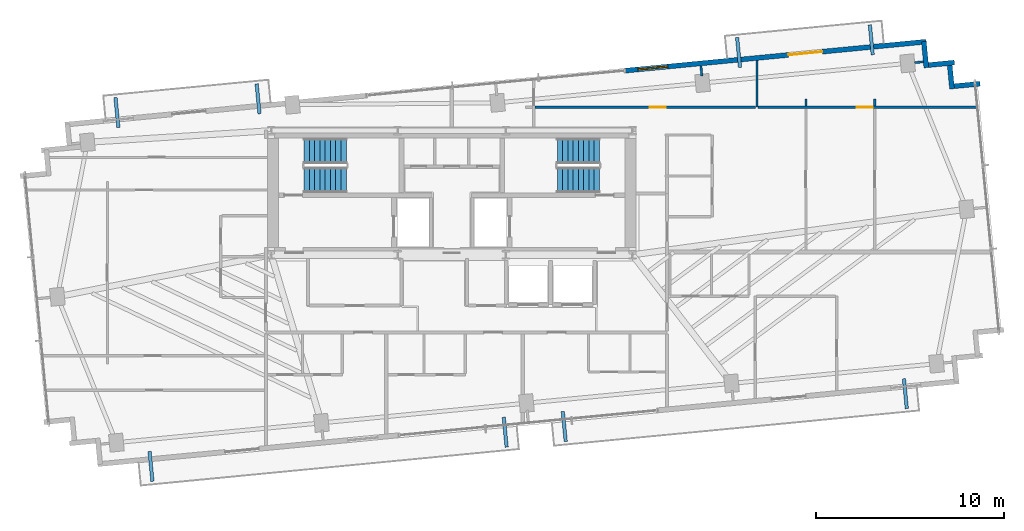
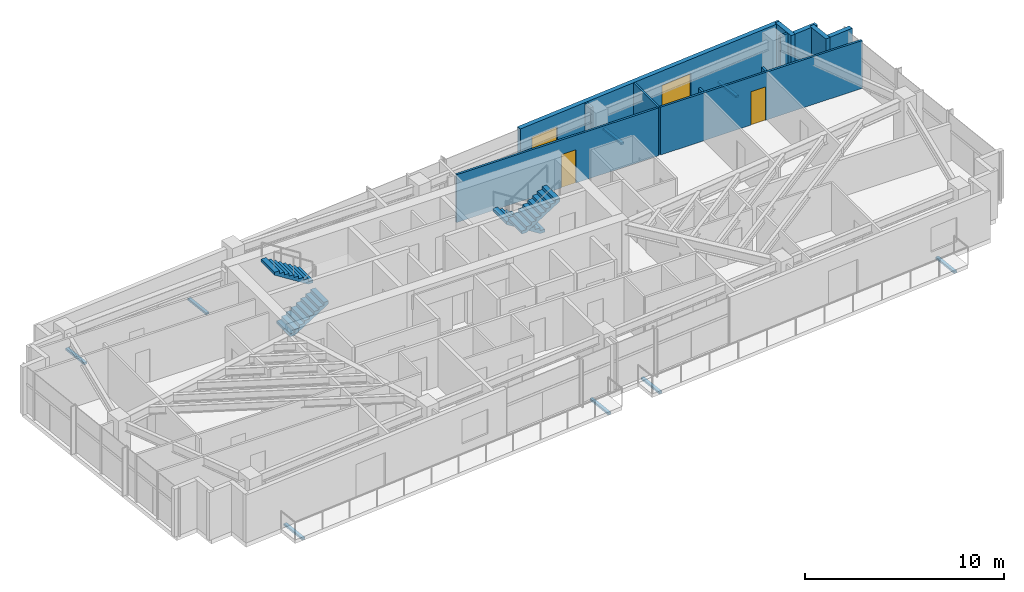
# One storey, part 16 of 18: 12 walls, 8 discrete accessories, 4 stair flights, 3 doors, 1 window, 4 openings, 2 elements without a shape of their own.
"""IFC4 building model written with IfcOpenShell, lengths in metres."""

from ifc_helpers import new_model, si_unit, direction, frame, frame_2d, origin, origin_2d, place, context, subcontext, project, spatial, polyline, rectangle, outline, extrude, source, transform, mapped, material, layer, layer_set, type_object, type_shapes, element, fill, aggregate, save


model = new_model("IFC4")

# Units and contexts
model_context = context("Model", 3, precision=1e-05, world=origin(), true_north=direction((0.0, 1.0)))
body_context = subcontext(model_context, "Body", "Model", "MODEL_VIEW")
ifc_project = project(units=[si_unit("LENGTHUNIT", "METRE"), si_unit("AREAUNIT", "SQUARE_METRE"), si_unit("VOLUMEUNIT", "CUBIC_METRE"), si_unit("PLANEANGLEUNIT", "RADIAN"), si_unit("MASSUNIT", "GRAM", prefix="KILO")], contexts=[model_context])

# Site, building, storey
site_placement = place(None, origin())
site = spatial("IfcSite", under=ifc_project, at=site_placement, CompositionType="ELEMENT")
building_placement = place(site_placement, origin())
building = spatial("IfcBuilding", under=site, at=building_placement, Name="Astriad Promenade Condominiums", CompositionType="ELEMENT")
storey_placement = place(building_placement, frame((0.0, 0.0, 192.199951171875)))
storey = spatial("IfcBuildingStorey", under=building, at=storey_placement, Name="L55", CompositionType="ELEMENT", Elevation=192.199951171875)

# Wall, openings, door, window
ifc_material_1 = material(Name="Precast concrete C50/60", Category="concrete")
ifc_layer_1 = layer(ifc_material_1, 0.260009765625)
ifc_layer_set_1 = layer_set([ifc_layer_1], Name="Precast concrete C50/60")
wall_type_1 = type_object("IfcWallType", Name="WALL-EXT-TWR-260", PredefinedType="STANDARD", material=ifc_layer_set_1)
wall_1_placement = place(storey_placement, frame((45.198974609375, 27.189697265625, 0.0), z_axis=(0.0, 0.0, 1.0), x_axis=(0.995397074604, 0.095836652014, 0.0)))
wall_1 = element("IfcWall", 1, at=wall_1_placement, inside=storey, type_object=wall_type_1, Name="W-EXT-L55-N2", PredefinedType="STANDARD", context=body_context, shape_type="SweptSolid", body=[
    extrude(rectangle(XDim=16.10009765625, YDim=0.260009765625, at=frame_2d((8.050048828125, 0.0))), origin(), (0.0, 0.0, 1.0), 2.93994140625),
])
opening_1_placement = place(wall_1_placement, frame((8.739990234375, 0.0, 0.0)))
opening_1 = element("IfcOpeningElement", 2, at=opening_1_placement, cuts=wall_1, Name="Opening BD-1822-SLD", PredefinedType="OPENING", context=body_context, shape_type="SweptSolid", body=[
    extrude(rectangle(XDim=1.800048828125, YDim=2.06005859375, at=frame_2d((0.89990234375, 1.030029296875))), frame((0.0, 0.139892578125, 0.0), z_axis=(0.0, -1.0, 0.0), x_axis=(1.0, 0.0, 0.0)), (0.0, 0.0, 1.0), 0.280029296875),
])
opening_2_placement = place(wall_1_placement, frame((0.699951171875, 0.0, 0.64990234375)))
opening_2 = element("IfcOpeningElement", 3, at=opening_2_placement, cuts=wall_1, Name="Opening WIN-TWR-1620", PredefinedType="OPENING", context=body_context, shape_type="SweptSolid", body=[
    extrude(rectangle(XDim=1.60009765625, YDim=1.5, at=frame_2d((0.800048828125, 0.75))), frame((0.0, 0.139892578125, 0.0), z_axis=(0.0, -1.0, 0.0), x_axis=(1.0, 0.0, 0.0)), (0.0, 0.0, 1.0), 0.280029296875),
])
ifc_material_2 = material(Name="Thermally Broken Aluminium Sliding Balcony Door", Category="aluminium")
door_type_1 = type_object("IfcDoorType", Name="BD-1822-SLD", OperationType="NOTDEFINED", PredefinedType="DOOR", material=ifc_material_2)
shared_shape_1 = source(origin(), body_context, "Body", "SweptSolid", [
    extrude(rectangle(XDim=1.800048828125, YDim=2.06005859375, at=frame_2d((0.89990234375, 1.030029296875))), frame((0.0, 0.02490234375, 0.0), z_axis=(0.0, -1.0, 0.0), x_axis=(1.0, 0.0, 0.0)), (0.0, 0.0, 1.0), 0.050048828125),
])
type_shapes(door_type_1, [shared_shape_1])
door_1_placement = place(opening_1_placement, origin())
door_1 = element("IfcDoor", 4, at=door_1_placement, inside=storey, type_object=door_type_1, Name="BD-L55-NE", OperationType="SLIDING_TO_RIGHT", OverallHeight=2.06005859375, OverallWidth=1.800048828125, PredefinedType="DOOR", context=body_context, shape_type="MappedRepresentation", body=[
    mapped(shared_shape_1, transform((0.0, 0.0, 0.0), scale=1.0)),
])
fill(opening_1, door_1)
ifc_material_3 = material(Name="Dark Tinted Triple-Glazed Aluminium Window", Category="aluminium")
window_type = type_object("IfcWindowType", Name="WIN-TWR-1620", PartitioningType="SINGLE_PANEL", PredefinedType="WINDOW", material=ifc_material_3)
shared_shape_2 = source(origin(), body_context, "Body", "SweptSolid", [
    extrude(rectangle(XDim=1.60009765625, YDim=1.5, at=frame_2d((0.800048828125, 0.75))), frame((0.0, 0.030029296875, 0.0), z_axis=(0.0, -1.0, 0.0), x_axis=(1.0, 0.0, 0.0)), (0.0, 0.0, 1.0), 0.06005859375),
])
type_shapes(window_type, [shared_shape_2])
window_placement = place(opening_2_placement, origin())
window = element("IfcWindow", 5, at=window_placement, inside=storey, type_object=window_type, Name="WIN-L55-NE", OverallHeight=1.5, OverallWidth=1.60009765625, PartitioningType="SINGLE_PANEL", PredefinedType="WINDOW", context=body_context, shape_type="MappedRepresentation", body=[
    mapped(shared_shape_2, transform((0.0, 0.0, 0.0), scale=1.0)),
])
fill(opening_2, window)

# Walls
wall_2_placement = place(storey_placement, frame((61.093994140625, 28.735107421875, 0.0), z_axis=(0.0, 0.0, 1.0), x_axis=(0.095742423056, -0.99540614245, 0.0)))
element("IfcWall", 6, at=wall_2_placement, inside=storey, type_object=wall_type_1, Name="W-SER-L55-09", PredefinedType="STANDARD", context=body_context, shape_type="SweptSolid", body=[
    extrude(rectangle(XDim=1.394775390625, YDim=0.260009765625, at=frame_2d((0.697265625, 0.0))), origin(), (0.0, 0.0, 1.0), 2.93994140625),
])
wall_3_placement = place(storey_placement, frame((61.32958984375, 27.487060546875, 0.0), z_axis=(0.0, 0.0, 1.0), x_axis=(0.995391056452, 0.09589913835, 0.0)))
element("IfcWall", 7, at=wall_3_placement, inside=storey, type_object=wall_type_1, Name="W-SER-L55-10", PredefinedType="STANDARD", context=body_context, shape_type="SweptSolid", body=[
    extrude(rectangle(XDim=1.39501953125, YDim=0.260009765625, at=frame_2d((0.697509765625, 0.0))), origin(), (0.0, 0.0, 1.0), 2.93994140625),
])
for number, where, z_axis, x_axis, name in (
    (8, (62.4580078125, 27.610595703125, 0.0), (0.0, 0.0, 1.0), (0.095915846097, -0.995389446633, 0.0), "W-SER-L55-11"),
    (9, (62.69384765625, 26.362548828125, 0.0), (0.0, 0.0, 1.0), (0.995389446633, 0.095915846097, 0.0), "W-SER-L55-12"),
):
    element("IfcWall", number, at=place(storey_placement, frame(where, z_axis=z_axis, x_axis=x_axis)), inside=storey, type_object=wall_type_1, Name=name, PredefinedType="STANDARD", context=body_context, shape_type="SweptSolid", body=[
        extrude(rectangle(XDim=1.394775390625, YDim=0.260009765625, at=frame_2d((0.697265625, 0.0))), origin(), (0.0, 0.0, 1.0), 2.93994140625),
    ])
ifc_material_4 = material(Name="Acoustic Metal-Stud Gypsum Partition")
ifc_layer_2 = layer(ifc_material_4, 0.1201171875)
ifc_layer_set_2 = layer_set([ifc_layer_2], Name="Acoustic Metal-Stud Gypsum Partition")
wall_type_2 = type_object("IfcWallType", Name="WALL-PART-120", PredefinedType="PARTITIONING", material=ifc_layer_set_2)
wall_4_placement = place(storey_placement, frame((52.218017578125, 25.2470703125, 0.0), z_axis=(0.0, 0.0, 1.0), x_axis=(0.0, 1.0, 0.0)))
element("IfcWall", 10, at=wall_4_placement, inside=storey, type_object=wall_type_2, Name="PT-L55-E2-B1M", PredefinedType="PARTITIONING", context=body_context, shape_type="SweptSolid", body=[
    extrude(rectangle(XDim=2.48583984375, YDim=0.1201171875, at=frame_2d((1.242919921875, 0.0))), origin(), (0.0, 0.0, 1.0), 2.93994140625),
])

# Wall, opening, door
wall_5_placement = place(storey_placement, frame((40.412109375, 25.2470703125, 0.0), z_axis=(0.0, 0.0, 1.0), x_axis=(1.0, 0.0, 0.0)))
wall_5 = element("IfcWall", 11, at=wall_5_placement, inside=storey, type_object=wall_type_2, Name="PT-L55-E2-B1-S2", PredefinedType="PARTITIONING", context=body_context, shape_type="SweptSolid", body=[
    extrude(rectangle(XDim=11.743896484375, YDim=0.1201171875, at=frame_2d((5.8720703125, 0.0))), origin(), (0.0, 0.0, 1.0), 2.93994140625),
])
opening_3_placement = place(wall_5_placement, frame((6.10009765625, 0.0, 0.0)))
opening_3 = element("IfcOpeningElement", 12, at=opening_3_placement, cuts=wall_5, Name="Opening D-INT-085", PredefinedType="OPENING", context=body_context, shape_type="SweptSolid", body=[
    extrude(rectangle(XDim=0.85009765625, YDim=2.050048828125, at=frame_2d((0.425048828125, 1.02490234375))), frame((0.0, 0.070068359375, 0.0), z_axis=(0.0, -1.0, 0.0), x_axis=(1.0, 0.0, 0.0)), (0.0, 0.0, 1.0), 0.14013671875),
])
ifc_material_5 = material(Name="Painted Solid-Core Timber Room Door", Category="wood")
door_type_2 = type_object("IfcDoorType", Name="D-INT-085", OperationType="NOTDEFINED", PredefinedType="DOOR", material=ifc_material_5)
shared_shape_3 = source(origin(), body_context, "Body", "SweptSolid", [
    extrude(rectangle(XDim=0.85009765625, YDim=2.050048828125, at=frame_2d((0.425048828125, 1.02490234375))), frame((0.0, 0.02490234375, 0.0), z_axis=(0.0, -1.0, 0.0), x_axis=(1.0, 0.0, 0.0)), (0.0, 0.0, 1.0), 0.050048828125),
])
type_shapes(door_type_2, [shared_shape_3])
door_2_placement = place(opening_3_placement, origin())
door_2 = element("IfcDoor", 13, at=door_2_placement, inside=storey, type_object=door_type_2, Name="D-BD1-L55-E2", OperationType="SINGLE_SWING_LEFT", OverallHeight=2.050048828125, OverallWidth=0.85009765625, PredefinedType="DOOR", context=body_context, shape_type="MappedRepresentation", body=[
    mapped(shared_shape_3, transform((0.0, 0.0, 0.0), scale=1.0)),
])
fill(opening_3, door_2)

wall_6_placement = place(storey_placement, frame((52.280029296875, 25.2470703125, 0.0), z_axis=(0.0, 0.0, 1.0), x_axis=(1.0, 0.0, 0.0)))
wall_6 = element("IfcWall", 14, at=wall_6_placement, inside=storey, type_object=wall_type_2, Name="PT-L55-E2-B1-S3", PredefinedType="PARTITIONING", context=body_context, shape_type="SweptSolid", body=[
    extrude(rectangle(XDim=11.711669921875, YDim=0.1201171875, at=frame_2d((5.85595703125, 0.0))), origin(), (0.0, 0.0, 1.0), 2.93994140625),
])
opening_4_placement = place(wall_6_placement, frame((5.2470703125, 0.0, 0.0)))
opening_4 = element("IfcOpeningElement", 15, at=opening_4_placement, cuts=wall_6, Name="Opening D-INT-085", PredefinedType="OPENING", context=body_context, shape_type="SweptSolid", body=[
    extrude(rectangle(XDim=0.85009765625, YDim=2.050048828125, at=frame_2d((0.425048828125, 1.02490234375))), frame((0.0, 0.070068359375, 0.0), z_axis=(0.0, -1.0, 0.0), x_axis=(1.0, 0.0, 0.0)), (0.0, 0.0, 1.0), 0.14013671875),
])
door_3_placement = place(opening_4_placement, origin())
door_3 = element("IfcDoor", 16, at=door_3_placement, inside=storey, type_object=door_type_2, Name="D-BD1B-L55-E2", OperationType="SINGLE_SWING_RIGHT", OverallHeight=2.050048828125, OverallWidth=0.85009765625, PredefinedType="DOOR", context=body_context, shape_type="MappedRepresentation", body=[
    mapped(shared_shape_3, transform((0.0, 0.0, 0.0), scale=1.0)),
])
fill(opening_4, door_3)

# Walls
for number, where, z_axis, x_axis, name in (
    (17, (58.488037109375, 25.30908203125, 0.0), (0.0, 0.0, 1.0), (0.0, 1.0, 0.0), "PT-L55-E2-WDV1-S2"),
    (18, (54.824951171875, 25.30908203125, 0.0), (0.0, 0.0, 1.0), (0.0, 1.0, 0.0), "PT-L55-E2-WDV2-S2"),
):
    element("IfcWall", number, at=place(storey_placement, frame(where, z_axis=z_axis, x_axis=x_axis)), inside=storey, type_object=wall_type_2, Name=name, PredefinedType="PARTITIONING", context=body_context, shape_type="SweptSolid", body=[
        extrude(rectangle(XDim=0.3779296875, YDim=0.1201171875, at=frame_2d((0.18896484375, 0.0))), origin(), (0.0, 0.0, 1.0), 2.93994140625),
    ])
wall_7_placement = place(storey_placement, frame((49.29443359375, 26.910888671875, 0.0), z_axis=(0.0, 0.0, 1.0), x_axis=(-0.095772948675, 0.995403205893, 0.0)))
element("IfcWall", 19, at=wall_7_placement, inside=storey, type_object=wall_type_2, Name="PT-PIL-L55-PC09-16", PredefinedType="PARTITIONING", context=body_context, shape_type="SweptSolid", body=[
    extrude(rectangle(XDim=0.537841796875, YDim=0.1201171875, at=frame_2d((0.26904296875, 0.0))), origin(), (0.0, 0.0, 1.0), 2.93994140625),
])
wall_8_placement = place(storey_placement, frame((60.60888671875, 27.618408203125, 0.0), z_axis=(0.0, 0.0, 1.0), x_axis=(0.995384576284, 0.09596637586, 0.0)))
element("IfcWall", 20, at=wall_8_placement, inside=storey, type_object=wall_type_2, Name="PT-PIL-L55-PC10-17", PredefinedType="PARTITIONING", context=body_context, shape_type="SweptSolid", body=[
    extrude(rectangle(XDim=0.4580078125, YDim=0.1201171875, at=frame_2d((0.22900390625, 0.0))), origin(), (0.0, 0.0, 1.0), 2.93994140625),
])

# Stair, stair flights
ifc_material_6 = material(Name="Concrete C50/60", Category="concrete")
stair_type = type_object("IfcStairType", Name="STR-CORE-1350", PredefinedType="HALF_TURN_STAIR", material=ifc_material_6)
stair_1_placement = place(storey_placement, origin())
stair_1 = element("IfcStair", 21, at=stair_1_placement, inside=storey, type_object=stair_type, Name="L55 Enclosed Core Exit Stair ST-1", PredefinedType="HALF_TURN_STAIR")
stair_flight_type = type_object("IfcStairFlightType", Name="SFL-CORE-1350", PredefinedType="STRAIGHT", material=ifc_material_6)
shared_shape_4 = source(origin(), body_context, "Body", "SweptSolid", [
    extrude(outline(polyline([(0.0, 0.0), (0.0, 0.177734375), (0.280029296875, 0.177734375), (0.280029296875, 0.35546875), (0.56005859375, 0.35546875), (0.56005859375, 0.533447265625), (0.840087890625, 0.533447265625), (0.840087890625, 0.711181640625), (1.1201171875, 0.711181640625), (1.1201171875, 0.888916015625), (1.39990234375, 0.888916015625), (1.39990234375, 1.066650390625), (1.679931640625, 1.066650390625), (1.679931640625, 1.244384765625), (1.9599609375, 1.244384765625), (1.9599609375, 1.422119140625), (2.239990234375, 1.422119140625), (2.239990234375, 1.60009765625), (2.239990234375, 1.24462890625), (0.27978515625, 0.0), (0.0, 0.0)])), frame((0.0, 0.675048828125, 0.0), z_axis=(0.0, -1.0, 0.0), x_axis=(1.0, 0.0, 0.0)), (0.0, 0.0, 1.0), 1.35009765625),
])
type_shapes(stair_flight_type, [shared_shape_4])
stair_flight_1_placement = place(storey_placement, frame((28.14990234375, 21.375, 0.0), z_axis=(0.0, 0.0, 1.0), x_axis=(1.0, 0.0, 0.0)))
stair_flight_1 = element("IfcStairFlight", 22, at=stair_flight_1_placement, type_object=stair_flight_type, Name="ST-1 flight 1", NumberOfRisers=9, NumberOfTreads=8, PredefinedType="STRAIGHT", RiserHeight=0.177777778, TreadLength=0.28, context=body_context, shape_type="MappedRepresentation", body=[
    mapped(shared_shape_4, transform((0.0, 0.0, 0.0), scale=1.0)),
])
stair_flight_2_placement = place(storey_placement, frame((30.389892578125, 22.925048828125, 1.60009765625), z_axis=(0.0, 0.0, 1.0), x_axis=(-1.0, 0.0, 0.0)))
stair_flight_2 = element("IfcStairFlight", 23, at=stair_flight_2_placement, type_object=stair_flight_type, Name="ST-1 flight 2", NumberOfRisers=9, NumberOfTreads=8, PredefinedType="STRAIGHT", RiserHeight=0.177777778, TreadLength=0.28, context=body_context, shape_type="MappedRepresentation", body=[
    mapped(shared_shape_4, transform((0.0, 0.0, 0.0), scale=1.0)),
])
aggregate(stair_1, [stair_flight_1, stair_flight_2])

stair_2_placement = place(storey_placement, origin())
stair_2 = element("IfcStair", 24, at=stair_2_placement, inside=storey, type_object=stair_type, Name="L55 Enclosed Core Exit Stair ST-2", PredefinedType="HALF_TURN_STAIR")
stair_flight_3_placement = place(storey_placement, frame((43.85009765625, 22.925048828125, 0.0), z_axis=(0.0, 0.0, 1.0), x_axis=(-1.0, 0.0, 0.0)))
stair_flight_3 = element("IfcStairFlight", 25, at=stair_flight_3_placement, type_object=stair_flight_type, Name="ST-2 flight 1", NumberOfRisers=9, NumberOfTreads=8, PredefinedType="STRAIGHT", RiserHeight=0.177777778, TreadLength=0.28, context=body_context, shape_type="MappedRepresentation", body=[
    mapped(shared_shape_4, transform((0.0, 0.0, 0.0), scale=1.0)),
])
stair_flight_4_placement = place(storey_placement, frame((41.610107421875, 21.375, 1.60009765625), z_axis=(0.0, 0.0, 1.0), x_axis=(1.0, 0.0, 0.0)))
stair_flight_4 = element("IfcStairFlight", 26, at=stair_flight_4_placement, type_object=stair_flight_type, Name="ST-2 flight 2", NumberOfRisers=9, NumberOfTreads=8, PredefinedType="STRAIGHT", RiserHeight=0.177777778, TreadLength=0.28, context=body_context, shape_type="MappedRepresentation", body=[
    mapped(shared_shape_4, transform((0.0, 0.0, 0.0), scale=1.0)),
])
aggregate(stair_2, [stair_flight_3, stair_flight_4])

# Discrete accessories
ifc_material_7 = material(Name="Steel ASTM A572 Grade 50", Category="steel")
discrete_accessory_type = type_object("IfcDiscreteAccessoryType", Name="STEEL BALCONY OUTRIGGER BRACKET", PredefinedType="BRACKET", material=ifc_material_7)
shared_shape_5 = source(origin(), body_context, "Body", "SweptSolid", [
    extrude(rectangle(XDim=1.60009765625, YDim=0.179931640625, at=origin_2d()), origin(), (0.0, 0.0, 1.0), 0.1220703125),
])
type_shapes(discrete_accessory_type, [shared_shape_5])
for number, where, z_axis, x_axis, name in (
    (27, (20.009765625, 6.158447265625, -0.340087890625), (0.0, 0.0, 1.0), (0.09584575252, -0.995396198367, 0.0), "Balcony Outrigger Bracket BAL-L55-SW-A"),
    (28, (38.838623046875, 7.971435546875, -0.340087890625), (0.0, 0.0, 1.0), (0.09584575252, -0.995396198367, 0.0), "Balcony Outrigger Bracket BAL-L55-SW-B"),
    (29, (41.97900390625, 8.27392578125, -0.340087890625), (0.0, 0.0, 1.0), (0.09584575252, -0.995396198367, 0.0), "Balcony Outrigger Bracket BAL-L55-SE-A"),
    (30, (60.111083984375, 10.019775390625, -0.340087890625), (0.0, 0.0, 1.0), (0.09584575252, -0.995396198367, 0.0), "Balcony Outrigger Bracket BAL-L55-SE-B"),
    (31, (18.1982421875, 24.971435546875, -0.340087890625), (0.0, 0.0, 1.0), (-0.09584575252, 0.995396198367, 0.0), "Balcony Outrigger Bracket BAL-L55-NW-A"),
    (32, (25.702392578125, 25.694091796875, -0.340087890625), (0.0, 0.0, 1.0), (-0.09584575252, 0.995396198367, 0.0), "Balcony Outrigger Bracket BAL-L55-NW-B"),
    (33, (51.244384765625, 28.1533203125, -0.340087890625), (0.0, 0.0, 1.0), (-0.09584575252, 0.995396198367, 0.0), "Balcony Outrigger Bracket BAL-L55-NE-A"),
    (34, (58.2998046875, 28.832763671875, -0.340087890625), (0.0, 0.0, 1.0), (-0.09584575252, 0.995396198367, 0.0), "Balcony Outrigger Bracket BAL-L55-NE-B"),
):
    element("IfcDiscreteAccessory", number, at=place(storey_placement, frame(where, z_axis=z_axis, x_axis=x_axis)), inside=storey, type_object=discrete_accessory_type, Name=name, PredefinedType="BRACKET", context=body_context, shape_type="MappedRepresentation", body=[
        mapped(shared_shape_5, transform((0.0, 0.0, 0.0), scale=1.0)),
    ])

save(model, "model.ifc")
